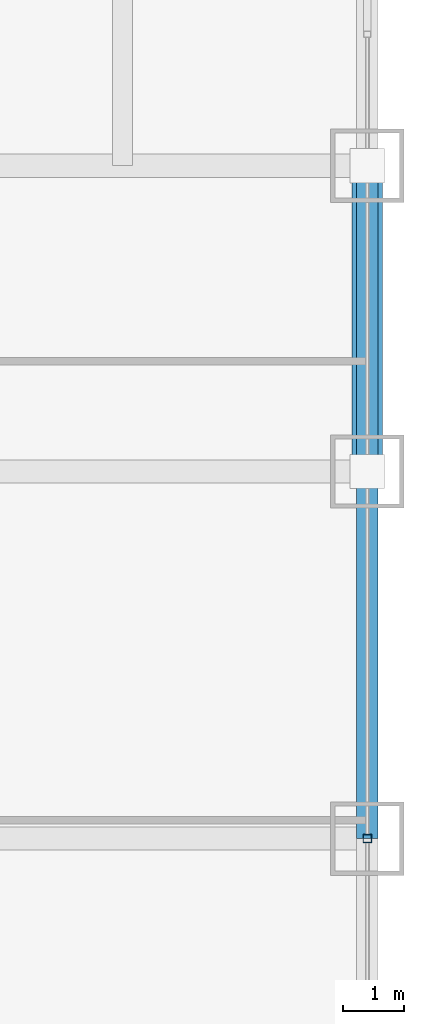
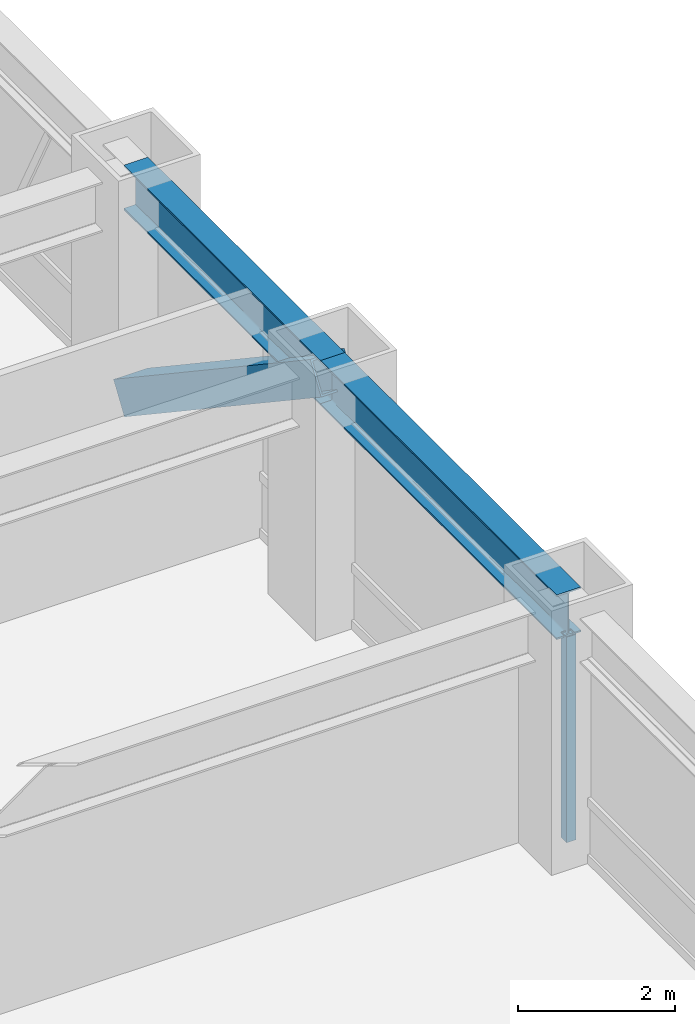
# One storey, part 14 of 32: 2 beams, 2 members, 1 element without a shape of its own.
"""IFC4 building model written with IfcOpenShell, lengths in metres."""

from ifc_helpers import new_model, si_unit, direction, frame, origin, origin_2d, place, context, subcontext, project, spatial, hollow_rectangle, i_section, extrude, source, transform, mapped, material, material_profile, profile_set, type_object, element, aggregate, save


model = new_model("IFC4")

# Units and contexts
model_context = context("Model", 3, precision=1e-05, world=origin(), true_north=direction((0.0, 1.0)))
body_context = subcontext(model_context, "Body", "Model", "MODEL_VIEW")
ifc_project = project(units=[si_unit("LENGTHUNIT", "METRE"), si_unit("AREAUNIT", "SQUARE_METRE"), si_unit("VOLUMEUNIT", "CUBIC_METRE"), si_unit("PLANEANGLEUNIT", "RADIAN"), si_unit("MASSUNIT", "GRAM", prefix="KILO")], contexts=[model_context])

# Site, building, storey
site_placement = place(None, origin())
site = spatial("IfcSite", under=ifc_project, at=site_placement, CompositionType="ELEMENT")
building_placement = place(site_placement, origin())
building = spatial("IfcBuilding", under=site, at=building_placement, Name="Khorayat Bourse Tower", CompositionType="ELEMENT")
storey_placement = place(building_placement, frame((0.0, 0.0, 99.60009765625)))
storey = spatial("IfcBuildingStorey", under=building, at=storey_placement, Name="L22", CompositionType="ELEMENT", Elevation=99.60009765625)

# Beams
ifc_material_1 = material(Name="Steel ASTM A992 Grade 50", Category="steel")
ifc_material_profile_1 = material_profile(ifc_material_1, i_section(OverallWidth=0.35498046875, OverallDepth=0.695068359375, WebThickness=0.015380859375, FlangeThickness=0.02490234375, FilletRadius=0.01806640625, at=origin_2d()), Name="W690X217")
ifc_profile_set_1 = profile_set([ifc_material_profile_1], Name="Steel ASTM A992 Grade 50")
beam_type = type_object("IfcBeamType", Name="BM-SPAN-690", PredefinedType="SPANDREL", material=ifc_profile_set_1)
shared_shape_1 = source(origin(), body_context, "Body", "SweptSolid", [
    extrude(i_section(OverallWidth=0.35498046875, OverallDepth=0.695068359375, WebThickness=0.015380859375, FlangeThickness=0.02490234375, FilletRadius=0.01806640625, at=origin_2d()), origin(), (0.0, 0.0, 1.0), 5.0),
])
beam_1_placement = place(storey_placement, frame((32.0, 6.0, 3.492431640625), z_axis=(0.0, 1.0, 0.0), x_axis=(-1.0, 0.0, 0.0)))
element("IfcBeam", 1, at=beam_1_placement, inside=storey, type_object=beam_type, Name="L22 BM-SPAN-690 BM-L22-SPN-039", PredefinedType="SPANDREL", context=body_context, shape_type="MappedRepresentation", body=[
    mapped(shared_shape_1, transform((0.0, 0.0, 0.0), scale=1.0)),
])
shared_shape_2 = source(origin(), body_context, "Body", "SweptSolid", [
    extrude(i_section(OverallWidth=0.35498046875, OverallDepth=0.695068359375, WebThickness=0.015380859375, FlangeThickness=0.02490234375, FilletRadius=0.01806640625, at=origin_2d()), origin(), (0.0, 0.0, 1.0), 6.0),
])
beam_2_placement = place(storey_placement, frame((32.0, 0.0, 3.492431640625), z_axis=(0.0, 1.0, 0.0), x_axis=(-1.0, 0.0, 0.0)))
element("IfcBeam", 2, at=beam_2_placement, inside=storey, type_object=beam_type, Name="L22 BM-SPAN-690 BM-L22-SPN-038", PredefinedType="SPANDREL", context=body_context, shape_type="MappedRepresentation", body=[
    mapped(shared_shape_2, transform((0.0, 0.0, 0.0), scale=1.0)),
])

# Member
ifc_material_2 = material(Name="Steel EN 10025-4 S460M", Category="steel")
ifc_material_profile_2 = material_profile(ifc_material_2, hollow_rectangle(XDim=0.5, YDim=0.5, WallThickness=0.028076171875, at=origin_2d()), Name="HSS 500x500x28")
ifc_profile_set_2 = profile_set([ifc_material_profile_2], Name="Steel EN 10025-4 S460M")
member_type_1 = type_object("IfcMemberType", Name="MBR-TUBE-500", PredefinedType="BRACE", material=ifc_profile_set_2)
shared_shape_3 = source(origin(), body_context, "Body", "SweptSolid", [
    extrude(hollow_rectangle(XDim=0.5, YDim=0.5, WallThickness=0.028076171875, at=origin_2d()), origin(), (0.0, 0.0, 1.0), 6.012939453125),
])
member_1_placement = place(storey_placement, frame((32.0, 6.0, 3.58984375), z_axis=(0.0, 0.831550226979, -0.555449565677), x_axis=(-1.0, 0.0, 0.0)))
element("IfcMember", 3, at=member_1_placement, inside=storey, type_object=member_type_1, Name="L22 Perimeter Tube Brace 08", PredefinedType="BRACE", context=body_context, shape_type="MappedRepresentation", body=[
    mapped(shared_shape_3, transform((0.0, 0.0, 0.0), scale=1.0)),
])

# Curtain wall, member
ifc_material_3 = material(Name="Aluminium EN AW-6063 T6", Category="aluminium")
curtain_wall_type = type_object("IfcCurtainWallType", Name="CW-SYS-02", PredefinedType="NOTDEFINED", material=ifc_material_3)
curtain_wall_placement = place(storey_placement, origin())
curtain_wall = element("IfcCurtainWall", 4, at=curtain_wall_placement, inside=storey, type_object=curtain_wall_type, Name="L22 Curtain Wall CW-L22-E1", PredefinedType="NOTDEFINED")
ifc_material_profile_3 = material_profile(ifc_material_3, hollow_rectangle(XDim=0.139892578125, YDim=0.139892578125, WallThickness=0.006103515625, at=origin_2d()), Name="ALU 140x140x6")
ifc_profile_set_3 = profile_set([ifc_material_profile_3], Name="Aluminium EN AW-6063 T6")
member_type_2 = type_object("IfcMemberType", Name="CWM-VERT-140", PredefinedType="MULLION", material=ifc_profile_set_3)
shared_shape_4 = source(origin(), body_context, "Body", "SweptSolid", [
    extrude(hollow_rectangle(XDim=0.139892578125, YDim=0.139892578125, WallThickness=0.006103515625, at=origin_2d()), origin(), (0.0, 0.0, 1.0), 3.18994140625),
])
member_2_placement = place(storey_placement, frame((32.0, 0.0, 0.0), z_axis=(0.0, 0.0, 1.0), x_axis=(-1.0, 0.0, 0.0)))
member_2 = element("IfcMember", 5, at=member_2_placement, type_object=member_type_2, Name="CW-L22-E1 Vertical Mullion 2", PredefinedType="MULLION", context=body_context, shape_type="MappedRepresentation", body=[
    mapped(shared_shape_4, transform((0.0, 0.0, 0.0), scale=1.0)),
])
aggregate(curtain_wall, [member_2])

save(model, "model.ifc")
